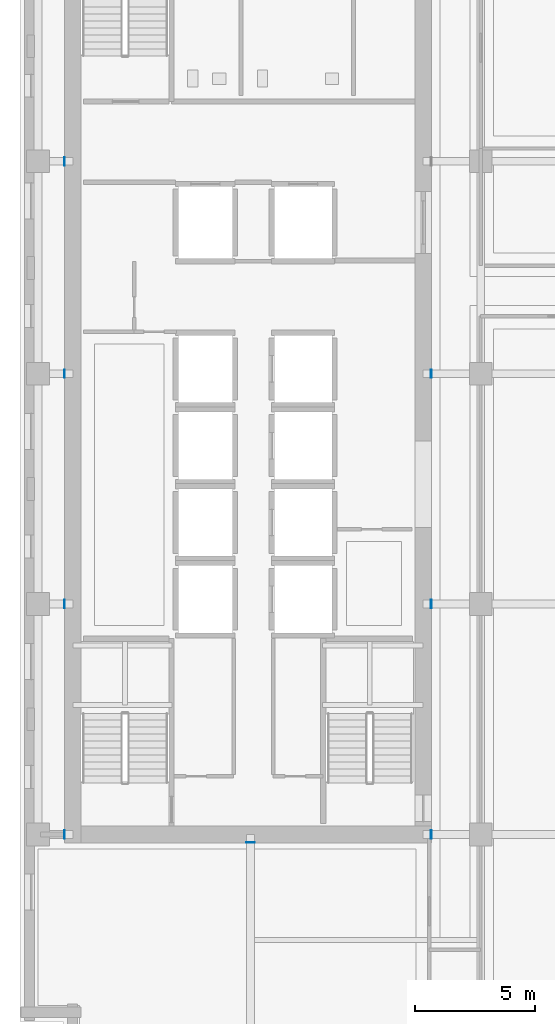
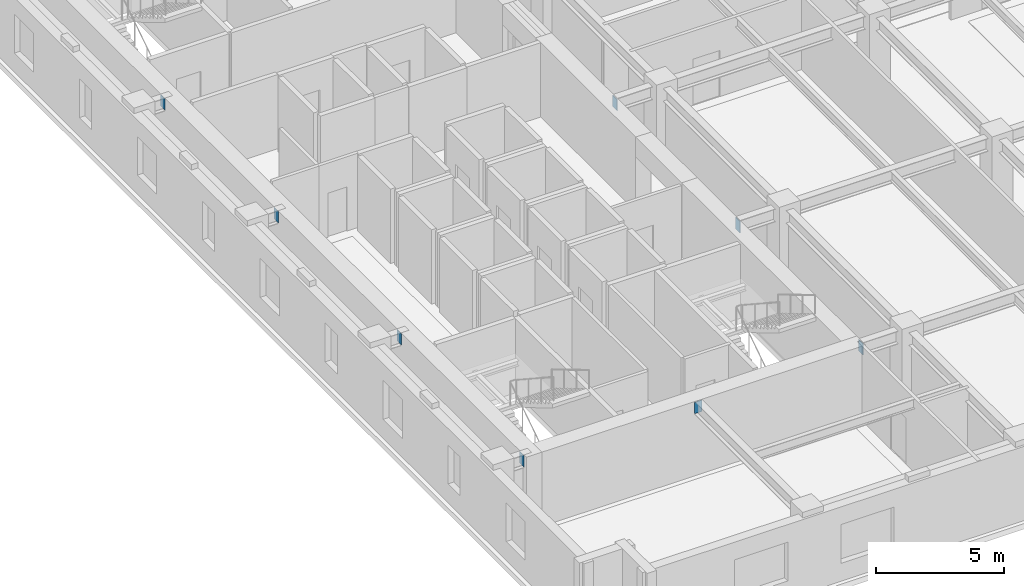
# One storey, part 8 of 14: 8 discrete accessories.
"""IFC4 building model written with IfcOpenShell, lengths in metres."""

from ifc_helpers import new_model, si_unit, direction, frame, origin, origin_2d, place, context, subcontext, project, spatial, rectangle, extrude, material, layer, layer_set, type_object, element, save


model = new_model("IFC4")

# Units and contexts
model_context = context("Model", 3, precision=1e-05, world=origin(), true_north=direction((0.0, 1.0)))
body_context = subcontext(model_context, "Body", "Model", "MODEL_VIEW")
ifc_project = project(units=[si_unit("LENGTHUNIT", "METRE"), si_unit("AREAUNIT", "SQUARE_METRE"), si_unit("VOLUMEUNIT", "CUBIC_METRE"), si_unit("PLANEANGLEUNIT", "RADIAN"), si_unit("MASSUNIT", "GRAM", prefix="KILO")], contexts=[model_context])

# Site, building, storey
site_placement = place(None, origin())
site = spatial("IfcSite", under=ifc_project, at=site_placement, CompositionType="ELEMENT")
building_placement = place(site_placement, origin())
building = spatial("IfcBuilding", under=site, at=building_placement, Name="Norrvale University Quadrangle", CompositionType="ELEMENT")
storey_placement = place(building_placement, frame((0.0, 0.0, 156.0)))
storey = spatial("IfcBuildingStorey", under=building, at=storey_placement, Name="L39", CompositionType="ELEMENT", Elevation=156.0)

# Discrete accessories
ifc_material = material(Name="Steel 350W", Category="steel")
ifc_layer = layer(ifc_material, 0.02490234375, Name="Steel 350W")
ifc_layer_set = layer_set([ifc_layer], Name="Steel 350W")
discrete_accessory_type = type_object("IfcDiscreteAccessoryType", Name="Accessory Cast In Embed Plate", PredefinedType="ANCHORPLATE", material=ifc_layer_set)
for number, where, z_axis, x_axis, name in (
    (1, (1.862548828125, 9.60009765625, 2.9599609375), (0.0, 0.0, 1.0), (1.0, 0.0, 0.0), "Core Wall Cast-in Embed Plate L39-GCW060"),
    (2, (17.137451171875, 9.60009765625, 2.9599609375), (0.0, 0.0, 1.0), (1.0, 0.0, 0.0), "Core Wall Cast-in Embed Plate L39-GCE061"),
    (3, (1.862548828125, 19.199951171875, 2.9599609375), (0.0, 0.0, 1.0), (1.0, 0.0, 0.0), "Core Wall Cast-in Embed Plate L39-GCW062"),
    (4, (17.137451171875, 19.199951171875, 2.9599609375), (0.0, 0.0, 1.0), (1.0, 0.0, 0.0), "Core Wall Cast-in Embed Plate L39-GCE063"),
    (5, (1.862548828125, 28.800048828125, 2.9599609375), (0.0, 0.0, 1.0), (1.0, 0.0, 0.0), "Core Wall Cast-in Embed Plate L39-GCW064"),
    (6, (17.137451171875, 28.800048828125, 2.9599609375), (0.0, 0.0, 1.0), (1.0, 0.0, 0.0), "Core Wall Cast-in Embed Plate L39-GCE065"),
    (7, (1.862548828125, 37.64990234375, 2.9599609375), (0.0, 0.0, 1.0), (1.0, 0.0, 0.0), "Core Wall Cast-in Embed Plate L39-GCW066"),
):
    element("IfcDiscreteAccessory", number, at=place(storey_placement, frame(where, z_axis=z_axis, x_axis=x_axis)), inside=storey, type_object=discrete_accessory_type, Name=name, PredefinedType="ANCHORPLATE", context=body_context, shape_type="SweptSolid", body=[
        extrude(rectangle(XDim=0.02490234375, YDim=0.35009765625, at=origin_2d()), origin(), (0.0, 0.0, 1.0), 0.5400390625),
    ])
discrete_accessory_placement = place(storey_placement, frame((9.60009765625, 9.262451171875, 2.9599609375), z_axis=(0.0, 0.0, 1.0), x_axis=(1.0, 0.0, 0.0)))
element("IfcDiscreteAccessory", 8, at=discrete_accessory_placement, inside=storey, type_object=discrete_accessory_type, Name="Core Wall Cast-in Embed Plate L39-GCS089", PredefinedType="ANCHORPLATE", context=body_context, shape_type="SweptSolid", body=[
    extrude(rectangle(XDim=0.35009765625, YDim=0.02490234375, at=origin_2d()), origin(), (0.0, 0.0, 1.0), 0.5400390625),
])

save(model, "model.ifc")
